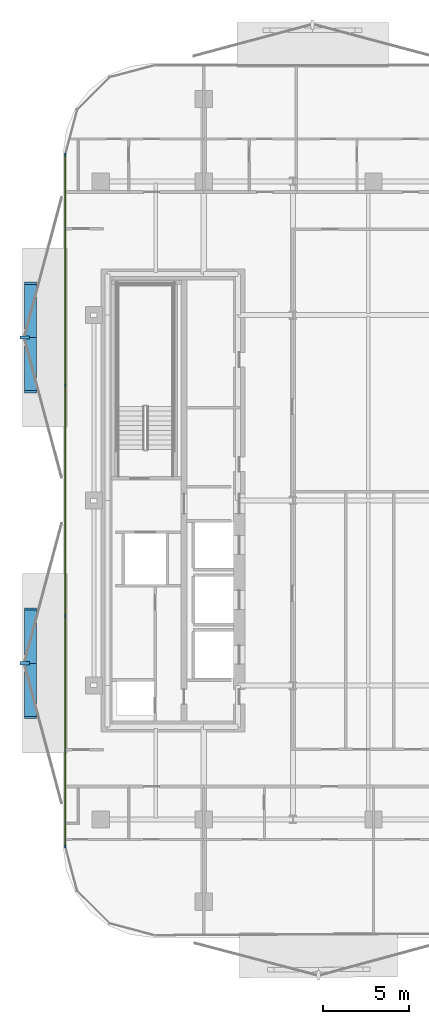
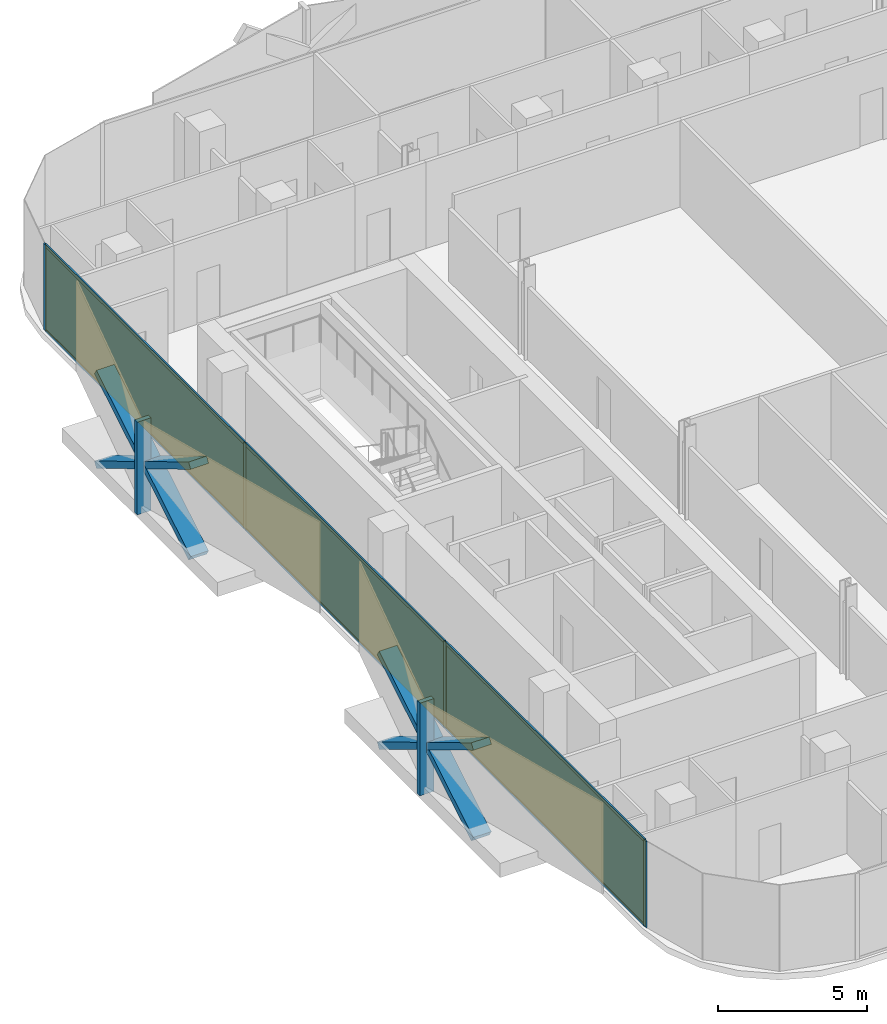
# One storey, part 10 of 17: 16 members, 3 plates, 1 curtain wall.
"""IFC4 building model written with IfcOpenShell, lengths in metres."""

from ifc_helpers import new_model, si_unit, direction, frame, frame_2d, origin, origin_2d, place, context, subcontext, project, spatial, rectangle, extrude, material, layer, layer_set, material_profile, profile_set, type_object, element, aggregate, save


model = new_model("IFC4")

# Units and contexts
model_context = context("Model", 3, precision=1e-05, world=origin(), true_north=direction((0.0, 1.0)))
body_context = subcontext(model_context, "Body", "Model", "MODEL_VIEW")
ifc_project = project(units=[si_unit("LENGTHUNIT", "METRE"), si_unit("AREAUNIT", "SQUARE_METRE"), si_unit("VOLUMEUNIT", "CUBIC_METRE"), si_unit("PLANEANGLEUNIT", "RADIAN"), si_unit("MASSUNIT", "GRAM", prefix="KILO")], contexts=[model_context])

# Member
ifc_material_1 = material(Name="Anodised Bronze Aluminium 6063-T6", Category="aluminium")
ifc_material_profile_1 = material_profile(ifc_material_1, rectangle(XDim=0.260009765625, YDim=0.699951171875, at=origin_2d()))
ifc_profile_set_1 = profile_set([ifc_material_profile_1], Name="Anodised Bronze Aluminium 6063-T6")
member_type_1 = type_object("IfcMemberType", Name="Bronze Diamond Solar-Screen Lattice Rib BDL-700", PredefinedType="MULLION", material=ifc_profile_set_1)
site_placement = place(None, origin())
building_placement = place(site_placement, origin())
storey_placement = place(building_placement, frame((0.0, 0.0, 176.39990234375)))
member_1_placement = place(storey_placement, frame((-24.5, -12.660400390625, -0.1298828125), z_axis=(0.0, 0.85737327611, 0.514695118893), x_axis=(0.0, -0.514695118893, 0.85737327611)))
member_1 = element("IfcMember", 1, at=member_1_placement, type_object=member_type_1, Name="L40 Bronze Diamond Solar Screen Lattice Rib 259A", PredefinedType="MULLION", context=body_context, shape_type="SweptSolid", body=[
    extrude(rectangle(XDim=0.260009765625, YDim=0.699951171875, at=origin_2d()), origin(), (0.0, 0.0, 1.0), 7.383056640625),
])

member_2_placement = place(storey_placement, frame((-24.5, -6.330322265625, -0.1298828125), z_axis=(0.0, -0.85737327611, 0.514695118893), x_axis=(0.0, 0.514695118893, 0.85737327611)))
member_2 = element("IfcMember", 2, at=member_2_placement, type_object=member_type_1, Name="L40 Bronze Diamond Solar Screen Lattice Rib 259B", PredefinedType="MULLION", context=body_context, shape_type="SweptSolid", body=[
    extrude(rectangle(XDim=0.260009765625, YDim=0.699951171875, at=origin_2d()), origin(), (0.0, 0.0, 1.0), 7.383056640625),
])

member_3_placement = place(storey_placement, frame((-24.5, 6.330322265625, -0.1298828125), z_axis=(0.0, 0.85737327611, 0.514695118893), x_axis=(0.0, -0.514695118893, 0.85737327611)))
member_3 = element("IfcMember", 3, at=member_3_placement, type_object=member_type_1, Name="L40 Bronze Diamond Solar Screen Lattice Rib 260A", PredefinedType="MULLION", context=body_context, shape_type="SweptSolid", body=[
    extrude(rectangle(XDim=0.260009765625, YDim=0.699951171875, at=origin_2d()), origin(), (0.0, 0.0, 1.0), 7.383056640625),
])

member_4_placement = place(storey_placement, frame((-24.5, 12.660400390625, -0.1298828125), z_axis=(0.0, -0.85737327611, 0.514695118893), x_axis=(0.0, 0.514695118893, 0.85737327611)))
member_4 = element("IfcMember", 4, at=member_4_placement, type_object=member_type_1, Name="L40 Bronze Diamond Solar Screen Lattice Rib 260B", PredefinedType="MULLION", context=body_context, shape_type="SweptSolid", body=[
    extrude(rectangle(XDim=0.260009765625, YDim=0.699951171875, at=origin_2d()), origin(), (0.0, 0.0, 1.0), 7.383056640625),
])

ifc_material_2 = material(Name="Anodised Bronze Aluminium 6063-T6", Category="aluminium")
ifc_material_profile_2 = material_profile(ifc_material_2, rectangle(XDim=0.179931640625, YDim=0.5400390625, at=origin_2d()))
ifc_profile_set_2 = profile_set([ifc_material_profile_2], Name="Anodised Bronze Aluminium 6063-T6")
member_type_2 = type_object("IfcMemberType", Name="Bronze Solar-Screen Vertical Fold Fin BSF-540", PredefinedType="MULLION", material=ifc_profile_set_2)
member_5_placement = place(storey_placement, frame((-24.840087890625, -9.495361328125, -0.1298828125), z_axis=(0.0, 0.0, 1.0), x_axis=(0.0, 1.0, 0.0)))
member_5 = element("IfcMember", 5, at=member_5_placement, type_object=member_type_2, Name="L40 Bronze Solar Screen Vertical Fin 259", PredefinedType="MULLION", context=body_context, shape_type="SweptSolid", body=[
    extrude(rectangle(XDim=0.179931640625, YDim=0.5400390625, at=origin_2d()), origin(), (0.0, 0.0, 1.0), 3.800048828125),
])

member_6_placement = place(storey_placement, frame((-24.840087890625, 9.495361328125, -0.1298828125), z_axis=(0.0, 0.0, 1.0), x_axis=(0.0, 1.0, 0.0)))
member_6 = element("IfcMember", 6, at=member_6_placement, type_object=member_type_2, Name="L40 Bronze Solar Screen Vertical Fin 260", PredefinedType="MULLION", context=body_context, shape_type="SweptSolid", body=[
    extrude(rectangle(XDim=0.179931640625, YDim=0.5400390625, at=origin_2d()), origin(), (0.0, 0.0, 1.0), 3.800048828125),
])

ifc_material_3 = material(Name="Anodised Bronze Aluminium 6063-T6", Category="aluminium")
ifc_material_profile_3 = material_profile(ifc_material_3, rectangle(XDim=0.06005859375, YDim=0.1650390625, at=origin_2d()))
ifc_profile_set_3 = profile_set([ifc_material_profile_3], Name="Anodised Bronze Aluminium 6063-T6")
member_type_3 = type_object("IfcMemberType", Name="CW-Z3 Mullion 60x165", PredefinedType="MULLION", material=ifc_profile_set_3)
member_7_placement = place(storey_placement, frame((-22.4599609375, -20.160888671875, 0.0), z_axis=(0.0, 0.0, 1.0), x_axis=(-1.0, 0.0, 0.0)))
member_7 = element("IfcMember", 7, at=member_7_placement, type_object=member_type_3, Name="CW-Z3 mullion 1", PredefinedType="MULLION", context=body_context, shape_type="SweptSolid", body=[
    extrude(rectangle(XDim=0.06005859375, YDim=0.1650390625, at=origin_2d()), origin(), (0.0, 0.0, 1.0), 3.5400390625),
])

member_8_placement = place(storey_placement, frame((-22.4599609375, -6.730224609375, 0.0), z_axis=(0.0, 0.0, 1.0), x_axis=(-1.0, 0.0, 0.0)))
member_8 = element("IfcMember", 8, at=member_8_placement, type_object=member_type_3, Name="CW-Z3 mullion 2", PredefinedType="MULLION", context=body_context, shape_type="SweptSolid", body=[
    extrude(rectangle(XDim=0.06005859375, YDim=0.1650390625, at=origin_2d()), origin(), (0.0, 0.0, 1.0), 3.5400390625),
])

member_9_placement = place(storey_placement, frame((-22.4599609375, 6.730224609375, 0.0), z_axis=(0.0, 0.0, 1.0), x_axis=(-1.0, 0.0, 0.0)))
member_9 = element("IfcMember", 9, at=member_9_placement, type_object=member_type_3, Name="CW-Z3 mullion 3", PredefinedType="MULLION", context=body_context, shape_type="SweptSolid", body=[
    extrude(rectangle(XDim=0.06005859375, YDim=0.1650390625, at=origin_2d()), origin(), (0.0, 0.0, 1.0), 3.5400390625),
])

member_10_placement = place(storey_placement, frame((-22.4599609375, 20.160888671875, 0.0), z_axis=(0.0, 0.0, 1.0), x_axis=(-1.0, 0.0, 0.0)))
member_10 = element("IfcMember", 10, at=member_10_placement, type_object=member_type_3, Name="CW-Z3 mullion 4", PredefinedType="MULLION", context=body_context, shape_type="SweptSolid", body=[
    extrude(rectangle(XDim=0.06005859375, YDim=0.1650390625, at=origin_2d()), origin(), (0.0, 0.0, 1.0), 3.5400390625),
])

ifc_material_4 = material(Name="Anodised Bronze Aluminium 6063-T6", Category="aluminium")
ifc_material_profile_4 = material_profile(ifc_material_4, rectangle(XDim=0.06005859375, YDim=0.1298828125, at=origin_2d()))
ifc_profile_set_4 = profile_set([ifc_material_profile_4], Name="Anodised Bronze Aluminium 6063-T6")
member_type_4 = type_object("IfcMemberType", Name="CW-Z3 Transom 60x130", PredefinedType="USERDEFINED", material=ifc_profile_set_4)
member_11_placement = place(storey_placement, frame((-22.4599609375, -20.130859375, 0.030029296875), z_axis=(0.0, 1.0, 0.0), x_axis=(-1.0, 0.0, 0.0)))
member_11 = element("IfcMember", 11, at=member_11_placement, type_object=member_type_4, Name="CW-Z3 transom 1.1", ObjectType="TRANSOM", PredefinedType="USERDEFINED", context=body_context, shape_type="SweptSolid", body=[
    extrude(rectangle(XDim=0.06005859375, YDim=0.1298828125, at=origin_2d()), origin(), (0.0, 0.0, 1.0), 13.37060546875),
])

member_12_placement = place(storey_placement, frame((-22.4599609375, -20.130859375, 3.510009765625), z_axis=(0.0, 1.0, 0.0), x_axis=(-1.0, 0.0, 0.0)))
member_12 = element("IfcMember", 12, at=member_12_placement, type_object=member_type_4, Name="CW-Z3 transom 1.2", ObjectType="TRANSOM", PredefinedType="USERDEFINED", context=body_context, shape_type="SweptSolid", body=[
    extrude(rectangle(XDim=0.06005859375, YDim=0.1298828125, at=origin_2d()), origin(), (0.0, 0.0, 1.0), 13.37060546875),
])

member_13_placement = place(storey_placement, frame((-22.4599609375, -6.7001953125, 0.030029296875), z_axis=(0.0, 1.0, 0.0), x_axis=(-1.0, 0.0, 0.0)))
member_13 = element("IfcMember", 13, at=member_13_placement, type_object=member_type_4, Name="CW-Z3 transom 2.1", ObjectType="TRANSOM", PredefinedType="USERDEFINED", context=body_context, shape_type="SweptSolid", body=[
    extrude(rectangle(XDim=0.06005859375, YDim=0.1298828125, at=origin_2d()), origin(), (0.0, 0.0, 1.0), 13.400390625),
])

member_14_placement = place(storey_placement, frame((-22.4599609375, -6.7001953125, 3.510009765625), z_axis=(0.0, 1.0, 0.0), x_axis=(-1.0, 0.0, 0.0)))
member_14 = element("IfcMember", 14, at=member_14_placement, type_object=member_type_4, Name="CW-Z3 transom 2.2", ObjectType="TRANSOM", PredefinedType="USERDEFINED", context=body_context, shape_type="SweptSolid", body=[
    extrude(rectangle(XDim=0.06005859375, YDim=0.1298828125, at=origin_2d()), origin(), (0.0, 0.0, 1.0), 13.400390625),
])

member_15_placement = place(storey_placement, frame((-22.4599609375, 6.76025390625, 0.030029296875), z_axis=(0.0, 1.0, 0.0), x_axis=(-1.0, 0.0, 0.0)))
member_15 = element("IfcMember", 15, at=member_15_placement, type_object=member_type_4, Name="CW-Z3 transom 3.1", ObjectType="TRANSOM", PredefinedType="USERDEFINED", context=body_context, shape_type="SweptSolid", body=[
    extrude(rectangle(XDim=0.06005859375, YDim=0.1298828125, at=origin_2d()), origin(), (0.0, 0.0, 1.0), 13.37060546875),
])

member_16_placement = place(storey_placement, frame((-22.4599609375, 6.76025390625, 3.510009765625), z_axis=(0.0, 1.0, 0.0), x_axis=(-1.0, 0.0, 0.0)))
member_16 = element("IfcMember", 16, at=member_16_placement, type_object=member_type_4, Name="CW-Z3 transom 3.2", ObjectType="TRANSOM", PredefinedType="USERDEFINED", context=body_context, shape_type="SweptSolid", body=[
    extrude(rectangle(XDim=0.06005859375, YDim=0.1298828125, at=origin_2d()), origin(), (0.0, 0.0, 1.0), 13.37060546875),
])

# Plate
ifc_material_5 = material(Name="Low-E Solar Control Laminated Glass", Category="glass")
ifc_layer_1 = layer(ifc_material_5, 0.030029296875, Name="Low-E Solar Control Laminated Glass")
ifc_layer_set_1 = layer_set([ifc_layer_1], Name="Low-E Solar Control Laminated Glass")
plate_type = type_object("IfcPlateType", Name="CW-Z3 Low-E Double Glazed Panel 30mm", PredefinedType="CURTAIN_PANEL", material=ifc_layer_set_1)
plate_1_placement = place(storey_placement, frame((-22.4599609375, -13.445556640625, 0.06005859375), z_axis=(0.0, 0.0, 1.0), x_axis=(0.0, 1.0, 0.0)))
plate_1 = element("IfcPlate", 17, at=plate_1_placement, type_object=plate_type, Name="CW-Z3 panel 1.1", PredefinedType="CURTAIN_PANEL", context=body_context, shape_type="SweptSolid", body=[
    extrude(rectangle(XDim=13.37060546875, YDim=0.030029296875, at=origin_2d()), origin(), (0.0, 0.0, 1.0), 3.419921875),
])

plate_2_placement = place(storey_placement, frame((-22.4599609375, 0.0, 0.06005859375), z_axis=(0.0, 0.0, 1.0), x_axis=(0.0, 1.0, 0.0)))
plate_2 = element("IfcPlate", 18, at=plate_2_placement, type_object=plate_type, Name="CW-Z3 panel 2.1", PredefinedType="CURTAIN_PANEL", context=body_context, shape_type="SweptSolid", body=[
    extrude(rectangle(XDim=13.400634765625, YDim=0.030029296875, at=origin_2d()), origin(), (0.0, 0.0, 1.0), 3.419921875),
])

plate_3_placement = place(storey_placement, frame((-22.4599609375, 13.445556640625, 0.06005859375), z_axis=(0.0, 0.0, 1.0), x_axis=(0.0, 1.0, 0.0)))
plate_3 = element("IfcPlate", 19, at=plate_3_placement, type_object=plate_type, Name="CW-Z3 panel 3.1", PredefinedType="CURTAIN_PANEL", context=body_context, shape_type="SweptSolid", body=[
    extrude(rectangle(XDim=13.37060546875, YDim=0.030029296875, at=origin_2d()), origin(), (0.0, 0.0, 1.0), 3.419921875),
])

# Site, building, storey
site = spatial("IfcSite", under=ifc_project, at=site_placement, CompositionType="ELEMENT")
building = spatial("IfcBuilding", under=site, at=building_placement, Name="Khairoan Windgate Tower", CompositionType="ELEMENT")
storey = spatial("IfcBuildingStorey", under=building, at=storey_placement, Name="L40", CompositionType="ELEMENT", Elevation=176.39990234375)

# Curtain wall
ifc_material_6 = material(Name="Anodised Bronze Aluminium 6063-T6", Category="aluminium")
ifc_layer_2 = layer(ifc_material_6, 0.1650390625, Name="Anodised Bronze Aluminium 6063-T6")
ifc_layer_set_2 = layer_set([ifc_layer_2], Name="Anodised Bronze Aluminium 6063-T6")
curtain_wall_type = type_object("IfcCurtainWallType", Name="Luxury Hotel Acoustic Curtain Wall CW-Z3", PredefinedType="NOTDEFINED", material=ifc_layer_set_2)
curtain_wall_placement = place(storey_placement, frame((-22.4599609375, -20.19091796875, 0.0), z_axis=(0.0, 0.0, 1.0), x_axis=(0.0, 1.0, 0.0)))
curtain_wall = element("IfcCurtainWall", 20, at=curtain_wall_placement, inside=storey, type_object=curtain_wall_type, Name="L40 Unitised Curtain Wall 5", PredefinedType="NOTDEFINED", context=body_context, shape_type="SweptSolid", body=[
    extrude(rectangle(XDim=40.3818359375, YDim=0.010009765625, at=frame_2d((20.19091796875, 0.0))), origin(), (0.0, 0.0, 1.0), 3.5400390625),
])

aggregate(curtain_wall, [member_7, member_8, member_9, member_10, member_11, member_12, plate_1, member_13, member_14, plate_2, member_15, member_16, plate_3, member_1, member_2, member_5, member_3, member_4, member_6])

save(model, "model.ifc")
